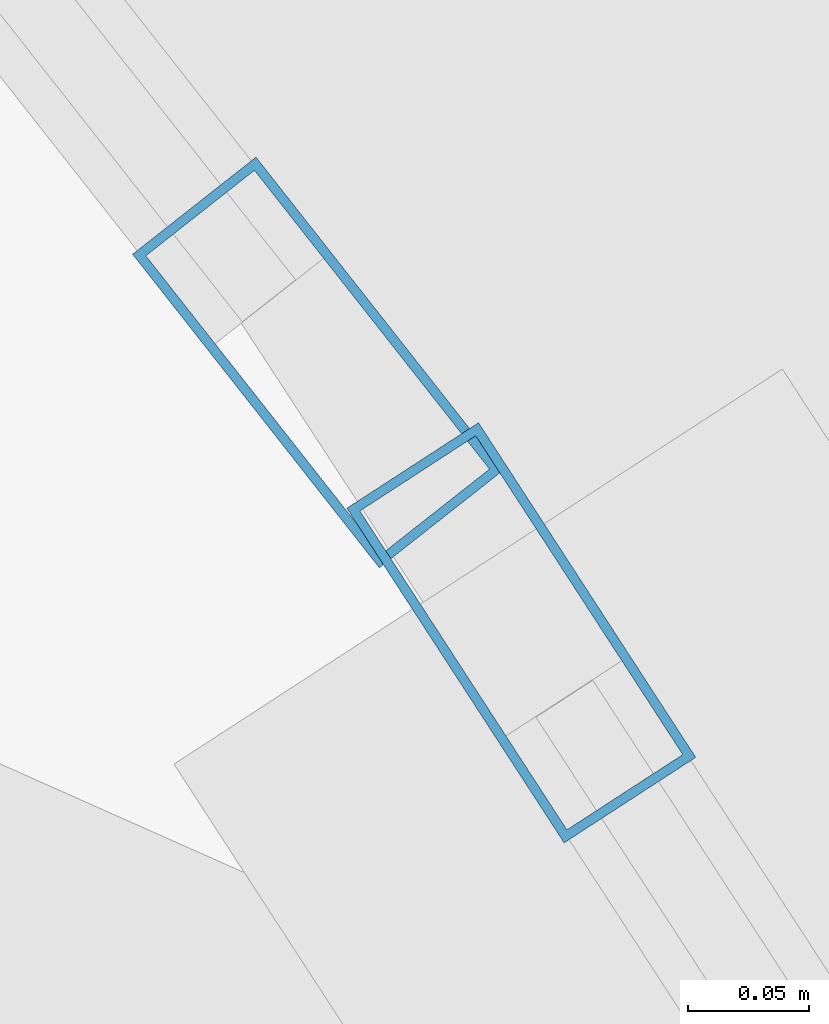
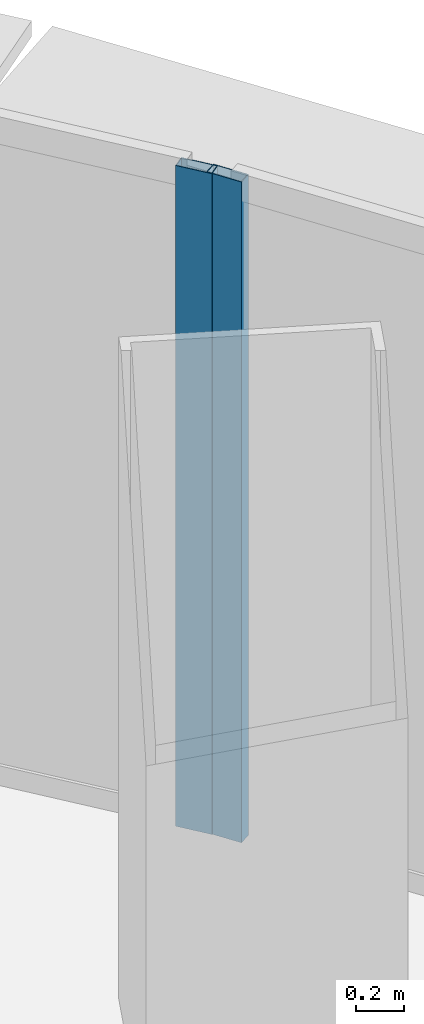
# One storey, part 20 of 42: 2 members, 2 elements without a shape of their own.
"""IFC4 building model written with IfcOpenShell, lengths in metres."""

from ifc_helpers import new_model, si_unit, direction, frame, origin, origin_2d, place, context, subcontext, project, spatial, hollow_rectangle, extrude, source, transform, mapped, material, layer, layer_set, material_profile, profile_set, type_object, element, aggregate, save


model = new_model("IFC4")

# Units and contexts
model_context = context("Model", 3, precision=1e-05, world=origin(), true_north=direction((0.0, 1.0)))
body_context = subcontext(model_context, "Body", "Model", "MODEL_VIEW")
ifc_project = project(units=[si_unit("LENGTHUNIT", "METRE"), si_unit("AREAUNIT", "SQUARE_METRE"), si_unit("VOLUMEUNIT", "CUBIC_METRE"), si_unit("PLANEANGLEUNIT", "RADIAN"), si_unit("MASSUNIT", "GRAM", prefix="KILO"), si_unit("THERMODYNAMICTEMPERATUREUNIT", "KELVIN"), si_unit("POWERUNIT", "WATT")], contexts=[model_context])

# Site, building, storey
site_placement = place(None, origin())
site = spatial("IfcSite", under=ifc_project, at=site_placement, CompositionType="ELEMENT")
building_placement = place(site_placement, origin())
building = spatial("IfcBuilding", under=site, at=building_placement, Name="Yunzhuo Pagoda Commons", CompositionType="ELEMENT")
storey_placement = place(building_placement, frame((0.0, 0.0, 41.2900390625)))
storey = spatial("IfcBuildingStorey", under=building, at=storey_placement, Name="L10", CompositionType="ELEMENT", Elevation=41.2900390625)

# Curtain wall, member
ifc_material = material(Name="Anodized aluminium 6063-T6", Category="aluminium")
ifc_layer = layer(ifc_material, 0.1650390625)
ifc_layer_set = layer_set([ifc_layer], Name="Anodized aluminium 6063-T6")
curtain_wall_type = type_object("IfcCurtainWallType", Name="CW-LOW Low-Zone Ribbon Curtain Wall", PredefinedType="NOTDEFINED", material=ifc_layer_set)
curtain_wall_1_placement = place(storey_placement, origin())
curtain_wall_1 = element("IfcCurtainWall", 1, at=curtain_wall_1_placement, inside=storey, type_object=curtain_wall_type, Name="L10 curtain wall CW-L10-F2B4", PredefinedType="NOTDEFINED")
ifc_material_profile = material_profile(ifc_material, hollow_rectangle(XDim=0.06494140625, YDim=0.1650390625, WallThickness=0.00390625, at=origin_2d()), Name="Anodized aluminium 6063-T6")
ifc_profile_set = profile_set([ifc_material_profile], Name="Anodized aluminium 6063-T6")
member_type = type_object("IfcMemberType", Name="CW-LOW-M Mullion RHS 165x65x4", PredefinedType="MULLION", material=ifc_profile_set)
shared_shape = source(origin(), body_context, "Body", "SweptSolid", [
    extrude(hollow_rectangle(XDim=0.06494140625, YDim=0.1650390625, WallThickness=0.00390625, at=origin_2d()), origin(), (0.0, 0.0, 1.0), 3.369873046875),
])
member_1_placement = place(storey_placement, frame((65.3232421875, 72.54150390625, 0.0), z_axis=(0.0, 0.0, 1.0), x_axis=(-0.838709783089, -0.54457864423, 0.0)))
member_1 = element("IfcMember", 2, at=member_1_placement, type_object=member_type, Name="CW mullion 2", PredefinedType="MULLION", context=body_context, shape_type="MappedRepresentation", body=[
    mapped(shared_shape, transform((0.0, 0.0, 0.0), scale=1.0)),
])
aggregate(curtain_wall_1, [member_1])

curtain_wall_2_placement = place(storey_placement, origin())
curtain_wall_2 = element("IfcCurtainWall", 3, at=curtain_wall_2_placement, inside=storey, type_object=curtain_wall_type, Name="L10 curtain wall CW-L10-F2B5", PredefinedType="NOTDEFINED")
member_2_placement = place(storey_placement, frame((65.239013671875, 72.6533203125, 0.0), z_axis=(0.0, 0.0, 1.0), x_axis=(-0.785883026265, -0.61837518468, 0.0)))
member_2 = element("IfcMember", 4, at=member_2_placement, type_object=member_type, Name="CW mullion 1", PredefinedType="MULLION", context=body_context, shape_type="MappedRepresentation", body=[
    mapped(shared_shape, transform((0.0, 0.0, 0.0), scale=1.0)),
])
aggregate(curtain_wall_2, [member_2])

save(model, "model.ifc")
